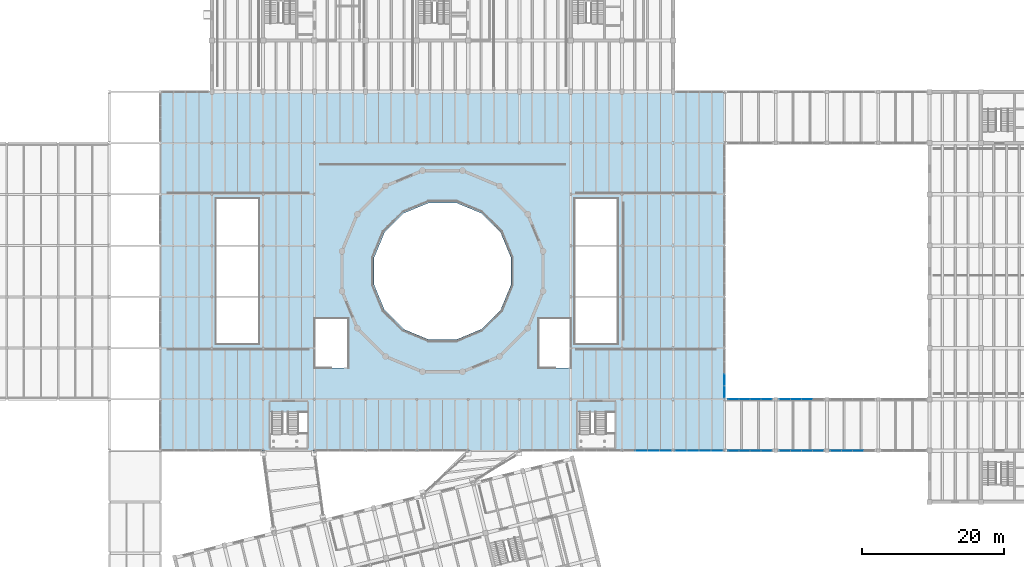
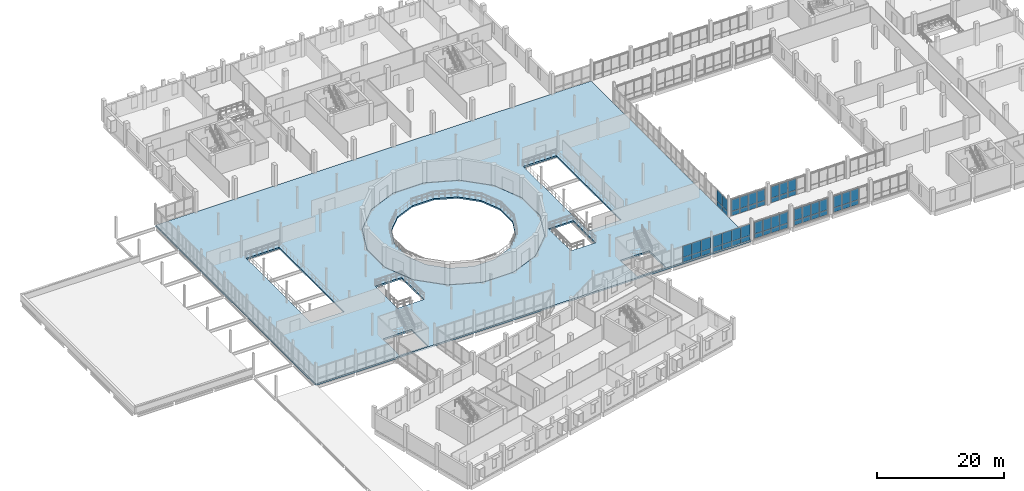
# One storey, part 46 of 72: 54 plates, 2 slabs, 8 elements without a shape of their own.
"""IFC4 building model written with IfcOpenShell, lengths in metres."""

from ifc_helpers import new_model, si_unit, direction, frame, frame_2d, origin, place, context, subcontext, project, spatial, polyline, rectangle, outline, extrude, material, layer, layer_set, type_object, element, aggregate, save


model = new_model("IFC4")

# Units and contexts
model_context = context("Model", 3, precision=1e-05, world=origin(), true_north=direction((0.0, 1.0)))
body_context = subcontext(model_context, "Body", "Model", "MODEL_VIEW")
ifc_project = project(units=[si_unit("LENGTHUNIT", "METRE"), si_unit("AREAUNIT", "SQUARE_METRE"), si_unit("VOLUMEUNIT", "CUBIC_METRE"), si_unit("PLANEANGLEUNIT", "RADIAN"), si_unit("MASSUNIT", "GRAM", prefix="KILO")], contexts=[model_context])

# Site, building, storey
site_placement = place(None, origin())
site = spatial("IfcSite", under=ifc_project, at=site_placement, CompositionType="ELEMENT")
building_placement = place(site_placement, origin())
building = spatial("IfcBuilding", under=site, at=building_placement, Name="Qiaolan Assembly House", CompositionType="ELEMENT")
storey_placement = place(building_placement, frame((0.0, 0.0, 10.199951171875)))
storey = spatial("IfcBuildingStorey", under=building, at=storey_placement, Name="L02", CompositionType="ELEMENT", Elevation=10.199951171875)

# Curtain wall, plates
ifc_material_1 = material(Name="Anodised bronze aluminium", Category="aluminium")
curtain_wall_type_1 = type_object("IfcCurtainWallType", Name="CW-CLOISTER-420", PredefinedType="NOTDEFINED", material=ifc_material_1)
curtain_wall_1_placement = place(storey_placement, origin())
curtain_wall_1 = element("IfcCurtainWall", 1, at=curtain_wall_1_placement, inside=storey, type_object=curtain_wall_type_1, Name="CW-05 South Cloister outer arcade L02-1", PredefinedType="NOTDEFINED")
ifc_material_2 = material(Name="Low-E double insulating glass", Category="glass")
ifc_layer_1 = layer(ifc_material_2, 0.02587890625)
ifc_layer_set_1 = layer_set([ifc_layer_1], Name="Low-E double insulating glass")
plate_type_1 = type_object("IfcPlateType", Name="CW-CLOISTER-420-PNL", PredefinedType="CURTAIN_PANEL", material=ifc_layer_set_1)
plate_1_placement = place(storey_placement, frame((108.547119140625, 36.0, 0.052978515625), z_axis=(0.0, 0.0, 1.0), x_axis=(1.0, 0.0, 0.0)))
plate_1 = element("IfcPlate", 2, at=plate_1_placement, type_object=plate_type_1, Name="GL-06 glazing panel CW-CLS-OUT-L02-0-1", PredefinedType="CURTAIN_PANEL", context=body_context, shape_type="SweptSolid", body=[
    extrude(rectangle(XDim=1.48583984375, YDim=0.02587890625, at=frame_2d((0.742919921875, 0.0))), origin(), (0.0, 0.0, 1.0), 0.8740234375),
])
plate_2_placement = place(storey_placement, frame((108.547119140625, 36.0, 0.97314453125), z_axis=(0.0, 0.0, 1.0), x_axis=(1.0, 0.0, 0.0)))
plate_2 = element("IfcPlate", 3, at=plate_2_placement, type_object=plate_type_1, Name="GL-06 glazing panel CW-CLS-OUT-L02-0-2", PredefinedType="CURTAIN_PANEL", context=body_context, shape_type="SweptSolid", body=[
    extrude(rectangle(XDim=1.48583984375, YDim=0.02587890625, at=frame_2d((0.742919921875, 0.0))), origin(), (0.0, 0.0, 1.0), 2.19384765625),
])
plate_3_placement = place(storey_placement, frame((110.0869140625, 36.0, 0.052978515625), z_axis=(0.0, 0.0, 1.0), x_axis=(1.0, 0.0, 0.0)))
plate_3 = element("IfcPlate", 4, at=plate_3_placement, type_object=plate_type_1, Name="GL-06 glazing panel CW-CLS-OUT-L02-0-3", PredefinedType="CURTAIN_PANEL", context=body_context, shape_type="SweptSolid", body=[
    extrude(rectangle(XDim=1.486083984375, YDim=0.02587890625, at=frame_2d((0.7431640625, 0.0))), origin(), (0.0, 0.0, 1.0), 0.8740234375),
])
plate_4_placement = place(storey_placement, frame((110.0869140625, 36.0, 0.97314453125), z_axis=(0.0, 0.0, 1.0), x_axis=(1.0, 0.0, 0.0)))
plate_4 = element("IfcPlate", 5, at=plate_4_placement, type_object=plate_type_1, Name="GL-06 glazing panel CW-CLS-OUT-L02-0-4", PredefinedType="CURTAIN_PANEL", context=body_context, shape_type="SweptSolid", body=[
    extrude(rectangle(XDim=1.486083984375, YDim=0.02587890625, at=frame_2d((0.7431640625, 0.0))), origin(), (0.0, 0.0, 1.0), 2.19384765625),
])
plate_5_placement = place(storey_placement, frame((111.626953125, 36.0, 0.052978515625), z_axis=(0.0, 0.0, 1.0), x_axis=(1.0, 0.0, 0.0)))
plate_5 = element("IfcPlate", 6, at=plate_5_placement, type_object=plate_type_1, Name="GL-06 glazing panel CW-CLS-OUT-L02-0-5", PredefinedType="CURTAIN_PANEL", context=body_context, shape_type="SweptSolid", body=[
    extrude(rectangle(XDim=1.486083984375, YDim=0.02587890625, at=frame_2d((0.7431640625, 0.0))), origin(), (0.0, 0.0, 1.0), 0.8740234375),
])
plate_6_placement = place(storey_placement, frame((111.626953125, 36.0, 0.97314453125), z_axis=(0.0, 0.0, 1.0), x_axis=(1.0, 0.0, 0.0)))
plate_6 = element("IfcPlate", 7, at=plate_6_placement, type_object=plate_type_1, Name="GL-06 glazing panel CW-CLS-OUT-L02-0-6", PredefinedType="CURTAIN_PANEL", context=body_context, shape_type="SweptSolid", body=[
    extrude(rectangle(XDim=1.486083984375, YDim=0.02587890625, at=frame_2d((0.7431640625, 0.0))), origin(), (0.0, 0.0, 1.0), 2.19384765625),
])
plate_7_placement = place(storey_placement, frame((113.1669921875, 36.0, 0.052978515625), z_axis=(0.0, 0.0, 1.0), x_axis=(1.0, 0.0, 0.0)))
plate_7 = element("IfcPlate", 8, at=plate_7_placement, type_object=plate_type_1, Name="GL-06 glazing panel CW-CLS-OUT-L02-0-7", PredefinedType="CURTAIN_PANEL", context=body_context, shape_type="SweptSolid", body=[
    extrude(rectangle(XDim=1.486083984375, YDim=0.02587890625, at=frame_2d((0.7431640625, 0.0))), origin(), (0.0, 0.0, 1.0), 0.8740234375),
])
plate_8_placement = place(storey_placement, frame((113.1669921875, 36.0, 0.97314453125), z_axis=(0.0, 0.0, 1.0), x_axis=(1.0, 0.0, 0.0)))
plate_8 = element("IfcPlate", 9, at=plate_8_placement, type_object=plate_type_1, Name="GL-06 glazing panel CW-CLS-OUT-L02-0-8", PredefinedType="CURTAIN_PANEL", context=body_context, shape_type="SweptSolid", body=[
    extrude(rectangle(XDim=1.486083984375, YDim=0.02587890625, at=frame_2d((0.7431640625, 0.0))), origin(), (0.0, 0.0, 1.0), 2.19384765625),
])
aggregate(curtain_wall_1, [plate_1, plate_2, plate_3, plate_4, plate_5, plate_6, plate_7, plate_8])

curtain_wall_2_placement = place(storey_placement, origin())
curtain_wall_2 = element("IfcCurtainWall", 10, at=curtain_wall_2_placement, inside=storey, type_object=curtain_wall_type_1, Name="CW-05 South Cloister court arcade L02-1", PredefinedType="NOTDEFINED")
plate_9_placement = place(storey_placement, frame((114.653076171875, 43.199951171875, 0.052978515625), z_axis=(0.0, 0.0, 1.0), x_axis=(-1.0, 0.0, 0.0)))
plate_9 = element("IfcPlate", 11, at=plate_9_placement, type_object=plate_type_1, Name="GL-06 glazing panel CW-CLS-CRT-L02-0-1", PredefinedType="CURTAIN_PANEL", context=body_context, shape_type="SweptSolid", body=[
    extrude(rectangle(XDim=1.486083984375, YDim=0.02587890625, at=frame_2d((0.7431640625, 0.0))), origin(), (0.0, 0.0, 1.0), 0.8740234375),
])
plate_10_placement = place(storey_placement, frame((114.653076171875, 43.199951171875, 0.97314453125), z_axis=(0.0, 0.0, 1.0), x_axis=(-1.0, 0.0, 0.0)))
plate_10 = element("IfcPlate", 12, at=plate_10_placement, type_object=plate_type_1, Name="GL-06 glazing panel CW-CLS-CRT-L02-0-2", PredefinedType="CURTAIN_PANEL", context=body_context, shape_type="SweptSolid", body=[
    extrude(rectangle(XDim=1.486083984375, YDim=0.02587890625, at=frame_2d((0.7431640625, 0.0))), origin(), (0.0, 0.0, 1.0), 2.19384765625),
])
plate_11_placement = place(storey_placement, frame((113.113037109375, 43.199951171875, 0.052978515625), z_axis=(0.0, 0.0, 1.0), x_axis=(-1.0, 0.0, 0.0)))
plate_11 = element("IfcPlate", 13, at=plate_11_placement, type_object=plate_type_1, Name="GL-06 glazing panel CW-CLS-CRT-L02-0-3", PredefinedType="CURTAIN_PANEL", context=body_context, shape_type="SweptSolid", body=[
    extrude(rectangle(XDim=1.486083984375, YDim=0.02587890625, at=frame_2d((0.7431640625, 0.0))), origin(), (0.0, 0.0, 1.0), 0.8740234375),
])
plate_12_placement = place(storey_placement, frame((113.113037109375, 43.199951171875, 0.97314453125), z_axis=(0.0, 0.0, 1.0), x_axis=(-1.0, 0.0, 0.0)))
plate_12 = element("IfcPlate", 14, at=plate_12_placement, type_object=plate_type_1, Name="GL-06 glazing panel CW-CLS-CRT-L02-0-4", PredefinedType="CURTAIN_PANEL", context=body_context, shape_type="SweptSolid", body=[
    extrude(rectangle(XDim=1.486083984375, YDim=0.02587890625, at=frame_2d((0.7431640625, 0.0))), origin(), (0.0, 0.0, 1.0), 2.19384765625),
])
plate_13_placement = place(storey_placement, frame((111.572998046875, 43.199951171875, 0.052978515625), z_axis=(0.0, 0.0, 1.0), x_axis=(-1.0, 0.0, 0.0)))
plate_13 = element("IfcPlate", 15, at=plate_13_placement, type_object=plate_type_1, Name="GL-06 glazing panel CW-CLS-CRT-L02-0-5", PredefinedType="CURTAIN_PANEL", context=body_context, shape_type="SweptSolid", body=[
    extrude(rectangle(XDim=1.486083984375, YDim=0.02587890625, at=frame_2d((0.7431640625, 0.0))), origin(), (0.0, 0.0, 1.0), 0.8740234375),
])
plate_14_placement = place(storey_placement, frame((111.572998046875, 43.199951171875, 0.97314453125), z_axis=(0.0, 0.0, 1.0), x_axis=(-1.0, 0.0, 0.0)))
plate_14 = element("IfcPlate", 16, at=plate_14_placement, type_object=plate_type_1, Name="GL-06 glazing panel CW-CLS-CRT-L02-0-6", PredefinedType="CURTAIN_PANEL", context=body_context, shape_type="SweptSolid", body=[
    extrude(rectangle(XDim=1.486083984375, YDim=0.02587890625, at=frame_2d((0.7431640625, 0.0))), origin(), (0.0, 0.0, 1.0), 2.19384765625),
])
plate_15_placement = place(storey_placement, frame((110.032958984375, 43.199951171875, 0.052978515625), z_axis=(0.0, 0.0, 1.0), x_axis=(-1.0, 0.0, 0.0)))
plate_15 = element("IfcPlate", 17, at=plate_15_placement, type_object=plate_type_1, Name="GL-06 glazing panel CW-CLS-CRT-L02-0-7", PredefinedType="CURTAIN_PANEL", context=body_context, shape_type="SweptSolid", body=[
    extrude(rectangle(XDim=1.48583984375, YDim=0.02587890625, at=frame_2d((0.742919921875, 0.0))), origin(), (0.0, 0.0, 1.0), 0.8740234375),
])
plate_16_placement = place(storey_placement, frame((110.032958984375, 43.199951171875, 0.97314453125), z_axis=(0.0, 0.0, 1.0), x_axis=(-1.0, 0.0, 0.0)))
plate_16 = element("IfcPlate", 18, at=plate_16_placement, type_object=plate_type_1, Name="GL-06 glazing panel CW-CLS-CRT-L02-0-8", PredefinedType="CURTAIN_PANEL", context=body_context, shape_type="SweptSolid", body=[
    extrude(rectangle(XDim=1.48583984375, YDim=0.02587890625, at=frame_2d((0.742919921875, 0.0))), origin(), (0.0, 0.0, 1.0), 2.19384765625),
])
aggregate(curtain_wall_2, [plate_9, plate_10, plate_11, plate_12, plate_13, plate_14, plate_15, plate_16])

curtain_wall_3_placement = place(storey_placement, origin())
curtain_wall_3 = element("IfcCurtainWall", 19, at=curtain_wall_3_placement, inside=storey, type_object=curtain_wall_type_1, Name="CW-05 South Cloister outer arcade L02-2", PredefinedType="NOTDEFINED")
plate_17_placement = place(storey_placement, frame((115.7470703125, 36.0, 0.052978515625), z_axis=(0.0, 0.0, 1.0), x_axis=(1.0, 0.0, 0.0)))
plate_17 = element("IfcPlate", 20, at=plate_17_placement, type_object=plate_type_1, Name="GL-06 glazing panel CW-CLS-OUT-L02-1-1", PredefinedType="CURTAIN_PANEL", context=body_context, shape_type="SweptSolid", body=[
    extrude(rectangle(XDim=1.48583984375, YDim=0.02587890625, at=frame_2d((0.742919921875, 0.0))), origin(), (0.0, 0.0, 1.0), 0.8740234375),
])
plate_18_placement = place(storey_placement, frame((115.7470703125, 36.0, 0.97314453125), z_axis=(0.0, 0.0, 1.0), x_axis=(1.0, 0.0, 0.0)))
plate_18 = element("IfcPlate", 21, at=plate_18_placement, type_object=plate_type_1, Name="GL-06 glazing panel CW-CLS-OUT-L02-1-2", PredefinedType="CURTAIN_PANEL", context=body_context, shape_type="SweptSolid", body=[
    extrude(rectangle(XDim=1.48583984375, YDim=0.02587890625, at=frame_2d((0.742919921875, 0.0))), origin(), (0.0, 0.0, 1.0), 2.19384765625),
])
plate_19_placement = place(storey_placement, frame((117.287109375, 36.0, 0.052978515625), z_axis=(0.0, 0.0, 1.0), x_axis=(1.0, 0.0, 0.0)))
plate_19 = element("IfcPlate", 22, at=plate_19_placement, type_object=plate_type_1, Name="GL-06 glazing panel CW-CLS-OUT-L02-1-3", PredefinedType="CURTAIN_PANEL", context=body_context, shape_type="SweptSolid", body=[
    extrude(rectangle(XDim=1.48583984375, YDim=0.02587890625, at=frame_2d((0.742919921875, 0.0))), origin(), (0.0, 0.0, 1.0), 0.8740234375),
])
plate_20_placement = place(storey_placement, frame((117.287109375, 36.0, 0.97314453125), z_axis=(0.0, 0.0, 1.0), x_axis=(1.0, 0.0, 0.0)))
plate_20 = element("IfcPlate", 23, at=plate_20_placement, type_object=plate_type_1, Name="GL-06 glazing panel CW-CLS-OUT-L02-1-4", PredefinedType="CURTAIN_PANEL", context=body_context, shape_type="SweptSolid", body=[
    extrude(rectangle(XDim=1.48583984375, YDim=0.02587890625, at=frame_2d((0.742919921875, 0.0))), origin(), (0.0, 0.0, 1.0), 2.19384765625),
])
plate_21_placement = place(storey_placement, frame((118.826904296875, 36.0, 0.052978515625), z_axis=(0.0, 0.0, 1.0), x_axis=(1.0, 0.0, 0.0)))
plate_21 = element("IfcPlate", 24, at=plate_21_placement, type_object=plate_type_1, Name="GL-06 glazing panel CW-CLS-OUT-L02-1-5", PredefinedType="CURTAIN_PANEL", context=body_context, shape_type="SweptSolid", body=[
    extrude(rectangle(XDim=1.486083984375, YDim=0.02587890625, at=frame_2d((0.7431640625, 0.0))), origin(), (0.0, 0.0, 1.0), 0.8740234375),
])
plate_22_placement = place(storey_placement, frame((118.826904296875, 36.0, 0.97314453125), z_axis=(0.0, 0.0, 1.0), x_axis=(1.0, 0.0, 0.0)))
plate_22 = element("IfcPlate", 25, at=plate_22_placement, type_object=plate_type_1, Name="GL-06 glazing panel CW-CLS-OUT-L02-1-6", PredefinedType="CURTAIN_PANEL", context=body_context, shape_type="SweptSolid", body=[
    extrude(rectangle(XDim=1.486083984375, YDim=0.02587890625, at=frame_2d((0.7431640625, 0.0))), origin(), (0.0, 0.0, 1.0), 2.19384765625),
])
plate_23_placement = place(storey_placement, frame((120.366943359375, 36.0, 0.052978515625), z_axis=(0.0, 0.0, 1.0), x_axis=(1.0, 0.0, 0.0)))
plate_23 = element("IfcPlate", 26, at=plate_23_placement, type_object=plate_type_1, Name="GL-06 glazing panel CW-CLS-OUT-L02-1-7", PredefinedType="CURTAIN_PANEL", context=body_context, shape_type="SweptSolid", body=[
    extrude(rectangle(XDim=1.486083984375, YDim=0.02587890625, at=frame_2d((0.7431640625, 0.0))), origin(), (0.0, 0.0, 1.0), 0.8740234375),
])
plate_24_placement = place(storey_placement, frame((120.366943359375, 36.0, 0.97314453125), z_axis=(0.0, 0.0, 1.0), x_axis=(1.0, 0.0, 0.0)))
plate_24 = element("IfcPlate", 27, at=plate_24_placement, type_object=plate_type_1, Name="GL-06 glazing panel CW-CLS-OUT-L02-1-8", PredefinedType="CURTAIN_PANEL", context=body_context, shape_type="SweptSolid", body=[
    extrude(rectangle(XDim=1.486083984375, YDim=0.02587890625, at=frame_2d((0.7431640625, 0.0))), origin(), (0.0, 0.0, 1.0), 2.19384765625),
])
aggregate(curtain_wall_3, [plate_17, plate_18, plate_19, plate_20, plate_21, plate_22, plate_23, plate_24])

curtain_wall_4_placement = place(storey_placement, origin())
curtain_wall_4 = element("IfcCurtainWall", 28, at=curtain_wall_4_placement, inside=storey, type_object=curtain_wall_type_1, Name="CW-05 South Cloister court arcade L02-2", PredefinedType="NOTDEFINED")
plate_25_placement = place(storey_placement, frame((120.31298828125, 43.199951171875, 0.052978515625), z_axis=(0.0, 0.0, 1.0), x_axis=(-1.0, 0.0, 0.0)))
plate_25 = element("IfcPlate", 29, at=plate_25_placement, type_object=plate_type_1, Name="GL-06 glazing panel CW-CLS-CRT-L02-1-3", PredefinedType="CURTAIN_PANEL", context=body_context, shape_type="SweptSolid", body=[
    extrude(rectangle(XDim=1.486083984375, YDim=0.02587890625, at=frame_2d((0.7431640625, 0.0))), origin(), (0.0, 0.0, 1.0), 0.8740234375),
])
plate_26_placement = place(storey_placement, frame((120.31298828125, 43.199951171875, 0.97314453125), z_axis=(0.0, 0.0, 1.0), x_axis=(-1.0, 0.0, 0.0)))
plate_26 = element("IfcPlate", 30, at=plate_26_placement, type_object=plate_type_1, Name="GL-06 glazing panel CW-CLS-CRT-L02-1-4", PredefinedType="CURTAIN_PANEL", context=body_context, shape_type="SweptSolid", body=[
    extrude(rectangle(XDim=1.486083984375, YDim=0.02587890625, at=frame_2d((0.7431640625, 0.0))), origin(), (0.0, 0.0, 1.0), 2.19384765625),
])
plate_27_placement = place(storey_placement, frame((118.77294921875, 43.199951171875, 0.052978515625), z_axis=(0.0, 0.0, 1.0), x_axis=(-1.0, 0.0, 0.0)))
plate_27 = element("IfcPlate", 31, at=plate_27_placement, type_object=plate_type_1, Name="GL-06 glazing panel CW-CLS-CRT-L02-1-5", PredefinedType="CURTAIN_PANEL", context=body_context, shape_type="SweptSolid", body=[
    extrude(rectangle(XDim=1.48583984375, YDim=0.02587890625, at=frame_2d((0.742919921875, 0.0))), origin(), (0.0, 0.0, 1.0), 0.8740234375),
])
plate_28_placement = place(storey_placement, frame((118.77294921875, 43.199951171875, 0.97314453125), z_axis=(0.0, 0.0, 1.0), x_axis=(-1.0, 0.0, 0.0)))
plate_28 = element("IfcPlate", 32, at=plate_28_placement, type_object=plate_type_1, Name="GL-06 glazing panel CW-CLS-CRT-L02-1-6", PredefinedType="CURTAIN_PANEL", context=body_context, shape_type="SweptSolid", body=[
    extrude(rectangle(XDim=1.48583984375, YDim=0.02587890625, at=frame_2d((0.742919921875, 0.0))), origin(), (0.0, 0.0, 1.0), 2.19384765625),
])
plate_29_placement = place(storey_placement, frame((117.23291015625, 43.199951171875, 0.052978515625), z_axis=(0.0, 0.0, 1.0), x_axis=(-1.0, 0.0, 0.0)))
plate_29 = element("IfcPlate", 33, at=plate_29_placement, type_object=plate_type_1, Name="GL-06 glazing panel CW-CLS-CRT-L02-1-7", PredefinedType="CURTAIN_PANEL", context=body_context, shape_type="SweptSolid", body=[
    extrude(rectangle(XDim=1.48583984375, YDim=0.02587890625, at=frame_2d((0.742919921875, 0.0))), origin(), (0.0, 0.0, 1.0), 0.8740234375),
])
plate_30_placement = place(storey_placement, frame((117.23291015625, 43.199951171875, 0.97314453125), z_axis=(0.0, 0.0, 1.0), x_axis=(-1.0, 0.0, 0.0)))
plate_30 = element("IfcPlate", 34, at=plate_30_placement, type_object=plate_type_1, Name="GL-06 glazing panel CW-CLS-CRT-L02-1-8", PredefinedType="CURTAIN_PANEL", context=body_context, shape_type="SweptSolid", body=[
    extrude(rectangle(XDim=1.48583984375, YDim=0.02587890625, at=frame_2d((0.742919921875, 0.0))), origin(), (0.0, 0.0, 1.0), 2.19384765625),
])
aggregate(curtain_wall_4, [plate_25, plate_26, plate_27, plate_28, plate_29, plate_30])

curtain_wall_5_placement = place(storey_placement, origin())
curtain_wall_5 = element("IfcCurtainWall", 35, at=curtain_wall_5_placement, inside=storey, type_object=curtain_wall_type_1, Name="CW-05 South Cloister outer arcade L02-3", PredefinedType="NOTDEFINED")
plate_31_placement = place(storey_placement, frame((122.947021484375, 36.0, 0.052978515625), z_axis=(0.0, 0.0, 1.0), x_axis=(1.0, 0.0, 0.0)))
plate_31 = element("IfcPlate", 36, at=plate_31_placement, type_object=plate_type_1, Name="GL-06 glazing panel CW-CLS-OUT-L02-2-1", PredefinedType="CURTAIN_PANEL", context=body_context, shape_type="SweptSolid", body=[
    extrude(rectangle(XDim=1.486083984375, YDim=0.02587890625, at=frame_2d((0.7431640625, 0.0))), origin(), (0.0, 0.0, 1.0), 0.8740234375),
])
plate_32_placement = place(storey_placement, frame((122.947021484375, 36.0, 0.97314453125), z_axis=(0.0, 0.0, 1.0), x_axis=(1.0, 0.0, 0.0)))
plate_32 = element("IfcPlate", 37, at=plate_32_placement, type_object=plate_type_1, Name="GL-06 glazing panel CW-CLS-OUT-L02-2-2", PredefinedType="CURTAIN_PANEL", context=body_context, shape_type="SweptSolid", body=[
    extrude(rectangle(XDim=1.486083984375, YDim=0.02587890625, at=frame_2d((0.7431640625, 0.0))), origin(), (0.0, 0.0, 1.0), 2.19384765625),
])
plate_33_placement = place(storey_placement, frame((124.487060546875, 36.0, 0.052978515625), z_axis=(0.0, 0.0, 1.0), x_axis=(1.0, 0.0, 0.0)))
plate_33 = element("IfcPlate", 38, at=plate_33_placement, type_object=plate_type_1, Name="GL-06 glazing panel CW-CLS-OUT-L02-2-3", PredefinedType="CURTAIN_PANEL", context=body_context, shape_type="SweptSolid", body=[
    extrude(rectangle(XDim=1.48583984375, YDim=0.02587890625, at=frame_2d((0.742919921875, 0.0))), origin(), (0.0, 0.0, 1.0), 0.8740234375),
])
plate_34_placement = place(storey_placement, frame((124.487060546875, 36.0, 0.97314453125), z_axis=(0.0, 0.0, 1.0), x_axis=(1.0, 0.0, 0.0)))
plate_34 = element("IfcPlate", 39, at=plate_34_placement, type_object=plate_type_1, Name="GL-06 glazing panel CW-CLS-OUT-L02-2-4", PredefinedType="CURTAIN_PANEL", context=body_context, shape_type="SweptSolid", body=[
    extrude(rectangle(XDim=1.48583984375, YDim=0.02587890625, at=frame_2d((0.742919921875, 0.0))), origin(), (0.0, 0.0, 1.0), 2.19384765625),
])
plate_35_placement = place(storey_placement, frame((126.027099609375, 36.0, 0.052978515625), z_axis=(0.0, 0.0, 1.0), x_axis=(1.0, 0.0, 0.0)))
plate_35 = element("IfcPlate", 40, at=plate_35_placement, type_object=plate_type_1, Name="GL-06 glazing panel CW-CLS-OUT-L02-2-5", PredefinedType="CURTAIN_PANEL", context=body_context, shape_type="SweptSolid", body=[
    extrude(rectangle(XDim=1.48583984375, YDim=0.02587890625, at=frame_2d((0.742919921875, 0.0))), origin(), (0.0, 0.0, 1.0), 0.8740234375),
])
plate_36_placement = place(storey_placement, frame((126.027099609375, 36.0, 0.97314453125), z_axis=(0.0, 0.0, 1.0), x_axis=(1.0, 0.0, 0.0)))
plate_36 = element("IfcPlate", 41, at=plate_36_placement, type_object=plate_type_1, Name="GL-06 glazing panel CW-CLS-OUT-L02-2-6", PredefinedType="CURTAIN_PANEL", context=body_context, shape_type="SweptSolid", body=[
    extrude(rectangle(XDim=1.48583984375, YDim=0.02587890625, at=frame_2d((0.742919921875, 0.0))), origin(), (0.0, 0.0, 1.0), 2.19384765625),
])
aggregate(curtain_wall_5, [plate_31, plate_32, plate_33, plate_34, plate_35, plate_36])

curtain_wall_type_2 = type_object("IfcCurtainWallType", Name="CW-HALL-UPPER-480", PredefinedType="NOTDEFINED", material=ifc_material_1)
curtain_wall_6_placement = place(storey_placement, origin())
curtain_wall_6 = element("IfcCurtainWall", 42, at=curtain_wall_6_placement, inside=storey, type_object=curtain_wall_type_2, Name="CW-01 Hall South plaza curtain wall L02-10", PredefinedType="NOTDEFINED")
ifc_layer_2 = layer(ifc_material_2, 0.031982421875)
ifc_layer_set_2 = layer_set([ifc_layer_2], Name="Low-E double insulating glass")
plate_type_2 = type_object("IfcPlateType", Name="CW-HALL-UPPER-480-PNL", PredefinedType="CURTAIN_PANEL", material=ifc_layer_set_2)
plate_37_placement = place(storey_placement, frame((95.544921875, 36.0, 0.06005859375), z_axis=(0.0, 0.0, 1.0), x_axis=(1.0, 0.0, 0.0)))
plate_37 = element("IfcPlate", 43, at=plate_37_placement, type_object=plate_type_2, Name="GL-02 glazing panel CW-HALL-S-L02-09-3", PredefinedType="CURTAIN_PANEL", context=body_context, shape_type="SweptSolid", body=[
    extrude(rectangle(XDim=1.6201171875, YDim=0.031982421875, at=frame_2d((0.81005859375, 0.0))), origin(), (0.0, 0.0, 1.0), 0.860107421875),
])
plate_38_placement = place(storey_placement, frame((95.544921875, 36.0, 0.97998046875), z_axis=(0.0, 0.0, 1.0), x_axis=(1.0, 0.0, 0.0)))
plate_38 = element("IfcPlate", 44, at=plate_38_placement, type_object=plate_type_2, Name="GL-02 glazing panel CW-HALL-S-L02-09-4", PredefinedType="CURTAIN_PANEL", context=body_context, shape_type="SweptSolid", body=[
    extrude(rectangle(XDim=1.6201171875, YDim=0.031982421875, at=frame_2d((0.81005859375, 0.0))), origin(), (0.0, 0.0, 1.0), 2.16015625),
])
plate_39_placement = place(storey_placement, frame((97.235107421875, 36.0, 0.06005859375), z_axis=(0.0, 0.0, 1.0), x_axis=(1.0, 0.0, 0.0)))
plate_39 = element("IfcPlate", 45, at=plate_39_placement, type_object=plate_type_2, Name="GL-02 glazing panel CW-HALL-S-L02-09-5", PredefinedType="CURTAIN_PANEL", context=body_context, shape_type="SweptSolid", body=[
    extrude(rectangle(XDim=1.619873046875, YDim=0.031982421875, at=frame_2d((0.81005859375, 0.0))), origin(), (0.0, 0.0, 1.0), 0.860107421875),
])
plate_40_placement = place(storey_placement, frame((97.235107421875, 36.0, 0.97998046875), z_axis=(0.0, 0.0, 1.0), x_axis=(1.0, 0.0, 0.0)))
plate_40 = element("IfcPlate", 46, at=plate_40_placement, type_object=plate_type_2, Name="GL-02 glazing panel CW-HALL-S-L02-09-6", PredefinedType="CURTAIN_PANEL", context=body_context, shape_type="SweptSolid", body=[
    extrude(rectangle(XDim=1.619873046875, YDim=0.031982421875, at=frame_2d((0.81005859375, 0.0))), origin(), (0.0, 0.0, 1.0), 2.16015625),
])
plate_41_placement = place(storey_placement, frame((98.925048828125, 36.0, 0.06005859375), z_axis=(0.0, 0.0, 1.0), x_axis=(1.0, 0.0, 0.0)))
plate_41 = element("IfcPlate", 47, at=plate_41_placement, type_object=plate_type_2, Name="GL-02 glazing panel CW-HALL-S-L02-09-7", PredefinedType="CURTAIN_PANEL", context=body_context, shape_type="SweptSolid", body=[
    extrude(rectangle(XDim=1.619873046875, YDim=0.031982421875, at=frame_2d((0.81005859375, 0.0))), origin(), (0.0, 0.0, 1.0), 0.860107421875),
])
plate_42_placement = place(storey_placement, frame((98.925048828125, 36.0, 0.97998046875), z_axis=(0.0, 0.0, 1.0), x_axis=(1.0, 0.0, 0.0)))
plate_42 = element("IfcPlate", 48, at=plate_42_placement, type_object=plate_type_2, Name="GL-02 glazing panel CW-HALL-S-L02-09-8", PredefinedType="CURTAIN_PANEL", context=body_context, shape_type="SweptSolid", body=[
    extrude(rectangle(XDim=1.619873046875, YDim=0.031982421875, at=frame_2d((0.81005859375, 0.0))), origin(), (0.0, 0.0, 1.0), 2.16015625),
])
aggregate(curtain_wall_6, [plate_37, plate_38, plate_39, plate_40, plate_41, plate_42])

curtain_wall_7_placement = place(storey_placement, origin())
curtain_wall_7 = element("IfcCurtainWall", 49, at=curtain_wall_7_placement, inside=storey, type_object=curtain_wall_type_2, Name="CW-01 Hall South plaza curtain wall L02-11", PredefinedType="NOTDEFINED")
plate_43_placement = place(storey_placement, frame((101.054931640625, 36.0, 0.06005859375), z_axis=(0.0, 0.0, 1.0), x_axis=(1.0, 0.0, 0.0)))
plate_43 = element("IfcPlate", 50, at=plate_43_placement, type_object=plate_type_2, Name="GL-02 glazing panel CW-HALL-S-L02-10-1", PredefinedType="CURTAIN_PANEL", context=body_context, shape_type="SweptSolid", body=[
    extrude(rectangle(XDim=1.6201171875, YDim=0.031982421875, at=frame_2d((0.81005859375, 0.0))), origin(), (0.0, 0.0, 1.0), 0.860107421875),
])
plate_44_placement = place(storey_placement, frame((101.054931640625, 36.0, 0.97998046875), z_axis=(0.0, 0.0, 1.0), x_axis=(1.0, 0.0, 0.0)))
plate_44 = element("IfcPlate", 51, at=plate_44_placement, type_object=plate_type_2, Name="GL-02 glazing panel CW-HALL-S-L02-10-2", PredefinedType="CURTAIN_PANEL", context=body_context, shape_type="SweptSolid", body=[
    extrude(rectangle(XDim=1.6201171875, YDim=0.031982421875, at=frame_2d((0.81005859375, 0.0))), origin(), (0.0, 0.0, 1.0), 2.16015625),
])
plate_45_placement = place(storey_placement, frame((102.7451171875, 36.0, 0.06005859375), z_axis=(0.0, 0.0, 1.0), x_axis=(1.0, 0.0, 0.0)))
plate_45 = element("IfcPlate", 52, at=plate_45_placement, type_object=plate_type_2, Name="GL-02 glazing panel CW-HALL-S-L02-10-3", PredefinedType="CURTAIN_PANEL", context=body_context, shape_type="SweptSolid", body=[
    extrude(rectangle(XDim=1.619873046875, YDim=0.031982421875, at=frame_2d((0.81005859375, 0.0))), origin(), (0.0, 0.0, 1.0), 0.860107421875),
])
plate_46_placement = place(storey_placement, frame((102.7451171875, 36.0, 0.97998046875), z_axis=(0.0, 0.0, 1.0), x_axis=(1.0, 0.0, 0.0)))
plate_46 = element("IfcPlate", 53, at=plate_46_placement, type_object=plate_type_2, Name="GL-02 glazing panel CW-HALL-S-L02-10-4", PredefinedType="CURTAIN_PANEL", context=body_context, shape_type="SweptSolid", body=[
    extrude(rectangle(XDim=1.619873046875, YDim=0.031982421875, at=frame_2d((0.81005859375, 0.0))), origin(), (0.0, 0.0, 1.0), 2.16015625),
])
plate_47_placement = place(storey_placement, frame((104.43505859375, 36.0, 0.06005859375), z_axis=(0.0, 0.0, 1.0), x_axis=(1.0, 0.0, 0.0)))
plate_47 = element("IfcPlate", 54, at=plate_47_placement, type_object=plate_type_2, Name="GL-02 glazing panel CW-HALL-S-L02-10-5", PredefinedType="CURTAIN_PANEL", context=body_context, shape_type="SweptSolid", body=[
    extrude(rectangle(XDim=1.619873046875, YDim=0.031982421875, at=frame_2d((0.81005859375, 0.0))), origin(), (0.0, 0.0, 1.0), 0.860107421875),
])
plate_48_placement = place(storey_placement, frame((104.43505859375, 36.0, 0.97998046875), z_axis=(0.0, 0.0, 1.0), x_axis=(1.0, 0.0, 0.0)))
plate_48 = element("IfcPlate", 55, at=plate_48_placement, type_object=plate_type_2, Name="GL-02 glazing panel CW-HALL-S-L02-10-6", PredefinedType="CURTAIN_PANEL", context=body_context, shape_type="SweptSolid", body=[
    extrude(rectangle(XDim=1.619873046875, YDim=0.031982421875, at=frame_2d((0.81005859375, 0.0))), origin(), (0.0, 0.0, 1.0), 2.16015625),
])
plate_49_placement = place(storey_placement, frame((106.125, 36.0, 0.06005859375), z_axis=(0.0, 0.0, 1.0), x_axis=(1.0, 0.0, 0.0)))
plate_49 = element("IfcPlate", 56, at=plate_49_placement, type_object=plate_type_2, Name="GL-02 glazing panel CW-HALL-S-L02-10-7", PredefinedType="CURTAIN_PANEL", context=body_context, shape_type="SweptSolid", body=[
    extrude(rectangle(XDim=1.6201171875, YDim=0.031982421875, at=frame_2d((0.81005859375, 0.0))), origin(), (0.0, 0.0, 1.0), 0.860107421875),
])
plate_50_placement = place(storey_placement, frame((106.125, 36.0, 0.97998046875), z_axis=(0.0, 0.0, 1.0), x_axis=(1.0, 0.0, 0.0)))
plate_50 = element("IfcPlate", 57, at=plate_50_placement, type_object=plate_type_2, Name="GL-02 glazing panel CW-HALL-S-L02-10-8", PredefinedType="CURTAIN_PANEL", context=body_context, shape_type="SweptSolid", body=[
    extrude(rectangle(XDim=1.6201171875, YDim=0.031982421875, at=frame_2d((0.81005859375, 0.0))), origin(), (0.0, 0.0, 1.0), 2.16015625),
])
aggregate(curtain_wall_7, [plate_43, plate_44, plate_45, plate_46, plate_47, plate_48, plate_49, plate_50])

curtain_wall_8_placement = place(storey_placement, origin())
curtain_wall_8 = element("IfcCurtainWall", 58, at=curtain_wall_8_placement, inside=storey, type_object=curtain_wall_type_2, Name="CW-01 Hall East court curtain wall L02-1", PredefinedType="NOTDEFINED")
plate_51_placement = place(storey_placement, frame((108.0, 46.764892578125, 0.06005859375), z_axis=(0.0, 0.0, 1.0), x_axis=(0.0, -1.0, 0.0)))
plate_51 = element("IfcPlate", 59, at=plate_51_placement, type_object=plate_type_2, Name="GL-02 glazing panel CW-HALL-E-L02-00-5", PredefinedType="CURTAIN_PANEL", context=body_context, shape_type="SweptSolid", body=[
    extrude(rectangle(XDim=1.619873046875, YDim=0.031982421875, at=frame_2d((0.81005859375, 0.0))), origin(), (0.0, 0.0, 1.0), 0.860107421875),
])
plate_52_placement = place(storey_placement, frame((108.0, 46.764892578125, 0.97998046875), z_axis=(0.0, 0.0, 1.0), x_axis=(0.0, -1.0, 0.0)))
plate_52 = element("IfcPlate", 60, at=plate_52_placement, type_object=plate_type_2, Name="GL-02 glazing panel CW-HALL-E-L02-00-6", PredefinedType="CURTAIN_PANEL", context=body_context, shape_type="SweptSolid", body=[
    extrude(rectangle(XDim=1.619873046875, YDim=0.031982421875, at=frame_2d((0.81005859375, 0.0))), origin(), (0.0, 0.0, 1.0), 2.16015625),
])
plate_53_placement = place(storey_placement, frame((108.0, 45.074951171875, 0.06005859375), z_axis=(0.0, 0.0, 1.0), x_axis=(0.0, -1.0, 0.0)))
plate_53 = element("IfcPlate", 61, at=plate_53_placement, type_object=plate_type_2, Name="GL-02 glazing panel CW-HALL-E-L02-00-7", PredefinedType="CURTAIN_PANEL", context=body_context, shape_type="SweptSolid", body=[
    extrude(rectangle(XDim=1.619873046875, YDim=0.031982421875, at=frame_2d((0.81005859375, 0.0))), origin(), (0.0, 0.0, 1.0), 0.860107421875),
])
plate_54_placement = place(storey_placement, frame((108.0, 45.074951171875, 0.97998046875), z_axis=(0.0, 0.0, 1.0), x_axis=(0.0, -1.0, 0.0)))
plate_54 = element("IfcPlate", 62, at=plate_54_placement, type_object=plate_type_2, Name="GL-02 glazing panel CW-HALL-E-L02-00-8", PredefinedType="CURTAIN_PANEL", context=body_context, shape_type="SweptSolid", body=[
    extrude(rectangle(XDim=1.619873046875, YDim=0.031982421875, at=frame_2d((0.81005859375, 0.0))), origin(), (0.0, 0.0, 1.0), 2.16015625),
])
aggregate(curtain_wall_8, [plate_51, plate_52, plate_53, plate_54])

# Slabs
ifc_material_3 = material(Name="Concrete C45/55", Category="concrete")
ifc_layer_3 = layer(ifc_material_3, 0.2900390625)
ifc_layer_set_3 = layer_set([ifc_layer_3], Name="Concrete C45/55")
slab_type_1 = type_object("IfcSlabType", Name="SLB-CHAMBER-290", PredefinedType="FLOOR", material=ifc_layer_set_3)
slab_1_placement = place(storey_placement, frame((0.0, 0.0, -0.2900390625)))
element("IfcSlab", 63, at=slab_1_placement, inside=storey, type_object=slab_type_1, Name="FS-03 Council Chamber Gallery Ring Slab L02", PredefinedType="FLOOR", context=body_context, shape_type="SweptSolid", body=[
    extrude(outline(polyline([(82.523193359375, 64.00927734375), (80.373046875, 69.2001953125), (76.400146484375, 73.173095703125), (71.209228515625, 75.3232421875), (65.5908203125, 75.3232421875), (60.39990234375, 73.173095703125), (56.4267578125, 69.2001953125), (54.276611328125, 64.00927734375), (54.276611328125, 58.390625), (56.4267578125, 53.19970703125), (60.39990234375, 49.226806640625), (65.5908203125, 47.07666015625), (71.209228515625, 47.07666015625), (76.400146484375, 49.226806640625), (80.373046875, 53.19970703125), (82.523193359375, 58.390625), (82.523193359375, 64.00927734375)]), holes=[polyline([(78.01171875, 59.2880859375), (76.54833984375, 55.75537109375), (73.844482421875, 53.051513671875), (70.311767578125, 51.58837890625), (66.488037109375, 51.58837890625), (62.955322265625, 53.051513671875), (60.251708984375, 55.75537109375), (58.788330078125, 59.2880859375), (58.788330078125, 63.11181640625), (60.251708984375, 66.64453125), (62.955322265625, 69.348388671875), (66.488037109375, 70.811767578125), (70.311767578125, 70.811767578125), (73.844482421875, 69.348388671875), (76.54833984375, 66.64453125), (78.01171875, 63.11181640625), (78.01171875, 59.2880859375)])]), origin(), (0.0, 0.0, 1.0), 0.2900390625),
])
ifc_layer_4 = layer(ifc_material_3, 0.300048828125)
ifc_layer_set_4 = layer_set([ifc_layer_4], Name="Concrete C45/55")
slab_type_2 = type_object("IfcSlabType", Name="SLB-HALL-300", PredefinedType="FLOOR", material=ifc_layer_set_4)
slab_2_placement = place(storey_placement, frame((0.0, 0.0, -0.300048828125)))
element("IfcSlab", 64, at=slab_2_placement, inside=storey, type_object=slab_type_2, Name="FS-02 Central Public Hall Slab L02", PredefinedType="FLOOR", context=body_context, shape_type="SweptSolid", body=[
    extrude(outline(polyline([(28.800048828125, 36.0), (108.0, 36.0), (108.0, 86.39990234375), (28.800048828125, 86.39990234375), (28.800048828125, 36.0)]), holes=[polyline([(82.54296875, 58.38671875), (80.389892578125, 53.188720703125), (76.411376953125, 49.210205078125), (71.213134765625, 47.05712890625), (65.5869140625, 47.05712890625), (60.388671875, 49.210205078125), (56.41015625, 53.188720703125), (54.257080078125, 58.38671875), (54.257080078125, 64.01318359375), (56.41015625, 69.21142578125), (60.388671875, 73.189697265625), (65.5869140625, 75.343017578125), (71.213134765625, 75.343017578125), (76.411376953125, 73.189697265625), (80.389892578125, 69.21142578125), (82.54296875, 64.01318359375), (82.54296875, 58.38671875)]), polyline([(36.60009765625, 51.0), (36.60009765625, 71.39990234375), (42.60009765625, 71.39990234375), (42.60009765625, 51.0), (36.60009765625, 51.0)]), polyline([(87.0, 51.0), (87.0, 71.39990234375), (93.0, 71.39990234375), (93.0, 51.0), (87.0, 51.0)]), polyline([(44.199951171875, 36.320068359375), (44.199951171875, 41.449951171875), (49.39990234375, 41.449951171875), (49.39990234375, 36.320068359375), (44.199951171875, 36.320068359375)]), polyline([(87.39990234375, 36.320068359375), (87.39990234375, 41.449951171875), (92.60009765625, 41.449951171875), (92.60009765625, 36.320068359375), (87.39990234375, 36.320068359375)]), polyline([(50.39990234375, 47.60009765625), (50.39990234375, 54.60009765625), (55.199951171875, 54.60009765625), (55.199951171875, 47.60009765625), (50.39990234375, 47.60009765625)]), polyline([(81.89990234375, 47.60009765625), (81.89990234375, 54.60009765625), (86.39990234375, 54.60009765625), (86.39990234375, 47.60009765625), (81.89990234375, 47.60009765625)])]), origin(), (0.0, 0.0, 1.0), 0.300048828125),
])

save(model, "model.ifc")
